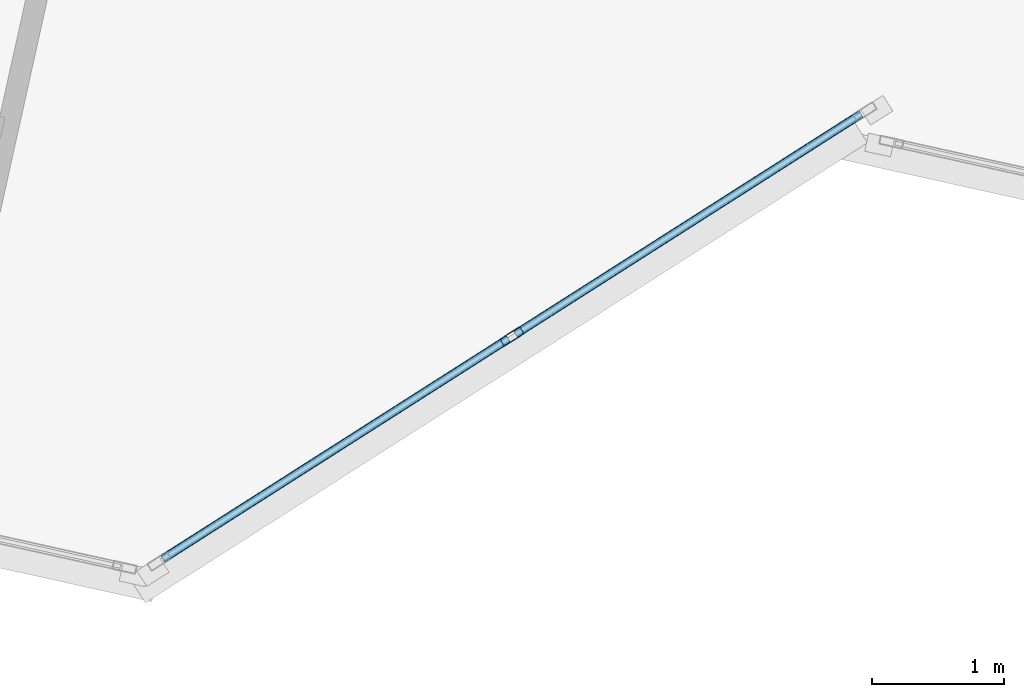
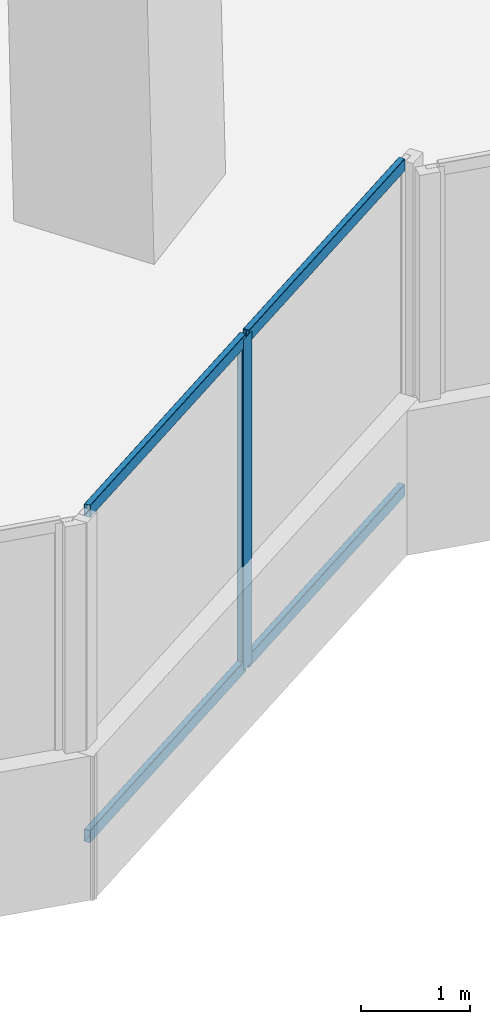
# One storey, part 5 of 26: 5 members, 1 element without a shape of its own.
"""IFC4 building model written with IfcOpenShell, lengths in metres."""

from ifc_helpers import new_model, si_unit, direction, frame, origin, origin_2d, place, context, subcontext, project, spatial, hollow_rectangle, extrude, source, transform, mapped, material, material_profile, profile_set, type_object, element, aggregate, save


model = new_model("IFC4")

# Units and contexts
model_context = context("Model", 3, precision=1e-05, world=origin(), true_north=direction((0.0, 1.0)))
body_context = subcontext(model_context, "Body", "Model", "MODEL_VIEW")
ifc_project = project(units=[si_unit("LENGTHUNIT", "METRE"), si_unit("AREAUNIT", "SQUARE_METRE"), si_unit("VOLUMEUNIT", "CUBIC_METRE"), si_unit("PLANEANGLEUNIT", "RADIAN"), si_unit("MASSUNIT", "GRAM", prefix="KILO")], contexts=[model_context])

# Site, building, storey
site_placement = place(None, origin())
site = spatial("IfcSite", under=ifc_project, at=site_placement, CompositionType="ELEMENT")
building_placement = place(site_placement, origin())
building = spatial("IfcBuilding", under=site, at=building_placement, Name="Torre Montelarca", CompositionType="ELEMENT")
storey_placement = place(building_placement, frame((0.0, 0.0, 95.800048828125)))
storey = spatial("IfcBuildingStorey", under=building, at=storey_placement, Name="L21", CompositionType="ELEMENT", Elevation=95.800048828125)

# Curtain wall, members
ifc_material_1 = material(Name="Insulated low-E laminated glass", Category="glass")
curtain_wall_type = type_object("IfcCurtainWallType", Name="CW-SYS-Z1", PredefinedType="USERDEFINED", material=ifc_material_1)
curtain_wall_placement = place(storey_placement, origin())
curtain_wall = element("IfcCurtainWall", 1, at=curtain_wall_placement, inside=storey, type_object=curtain_wall_type, Name="L21 Curtain Wall Run CW-T3-L21-E02-B1", ObjectType="UNITISED GLAZING", PredefinedType="USERDEFINED")
ifc_material_2 = material(Name="Anodised aluminium AA 6063-T6", Category="aluminium")
ifc_material_profile_1 = material_profile(ifc_material_2, hollow_rectangle(XDim=0.06494140625, YDim=0.139892578125, WallThickness=0.00390625, InnerFilletRadius=0.00390625, OuterFilletRadius=0.008056640625, at=origin_2d()), Name="ALU65X140X4", Category="aluminium")
ifc_profile_set_1 = profile_set([ifc_material_profile_1], Name="Anodised aluminium AA 6063-T6")
member_type_1 = type_object("IfcMemberType", Name="CWT-ALU140", PredefinedType="USERDEFINED", material=ifc_profile_set_1)
shared_shape_1 = source(origin(), body_context, "Body", "SweptSolid", [
    extrude(hollow_rectangle(XDim=0.06494140625, YDim=0.139892578125, WallThickness=0.00390625, InnerFilletRadius=0.00390625, OuterFilletRadius=0.008056640625, at=origin_2d()), origin(), (0.0, 0.0, 1.0), 3.102294921875),
])
member_1_placement = place(storey_placement, frame((30.99853515625, 13.8076171875, 0.032470703125), z_axis=(0.843372972442, 0.537328604631, 0.0), x_axis=(-0.537328604631, 0.843372972442, 0.0)))
member_1 = element("IfcMember", 2, at=member_1_placement, type_object=member_type_1, Name="CW transom 2.1", ObjectType="TRANSOM", PredefinedType="USERDEFINED", context=body_context, shape_type="MappedRepresentation", body=[
    mapped(shared_shape_1, transform((0.0, 0.0, 0.0), scale=1.0)),
])
member_2_placement = place(storey_placement, frame((30.99853515625, 13.8076171875, 3.6875), z_axis=(0.843372972442, 0.537328604631, 0.0), x_axis=(-0.537328604631, 0.843372972442, 0.0)))
member_2 = element("IfcMember", 3, at=member_2_placement, type_object=member_type_1, Name="CW transom 2.2", ObjectType="TRANSOM", PredefinedType="USERDEFINED", context=body_context, shape_type="MappedRepresentation", body=[
    mapped(shared_shape_1, transform((0.0, 0.0, 0.0), scale=1.0)),
])
shared_shape_2 = source(origin(), body_context, "Body", "SweptSolid", [
    extrude(hollow_rectangle(XDim=0.06494140625, YDim=0.139892578125, WallThickness=0.00390625, InnerFilletRadius=0.00390625, OuterFilletRadius=0.008056640625, at=origin_2d()), origin(), (0.0, 0.0, 1.0), 3.1025390625),
])
member_3_placement = place(storey_placement, frame((28.3271484375, 12.105712890625, 0.032470703125), z_axis=(0.843395691124, 0.537292944485, 0.0), x_axis=(-0.537292944485, 0.843395691124, 0.0)))
member_3 = element("IfcMember", 4, at=member_3_placement, type_object=member_type_1, Name="CW transom 1.1", ObjectType="TRANSOM", PredefinedType="USERDEFINED", context=body_context, shape_type="MappedRepresentation", body=[
    mapped(shared_shape_2, transform((0.0, 0.0, 0.0), scale=1.0)),
])
member_4_placement = place(storey_placement, frame((28.3271484375, 12.105712890625, 3.6875), z_axis=(0.843395691124, 0.537292944485, 0.0), x_axis=(-0.537292944485, 0.843395691124, 0.0)))
member_4 = element("IfcMember", 5, at=member_4_placement, type_object=member_type_1, Name="CW transom 1.2", ObjectType="TRANSOM", PredefinedType="USERDEFINED", context=body_context, shape_type="MappedRepresentation", body=[
    mapped(shared_shape_2, transform((0.0, 0.0, 0.0), scale=1.0)),
])
ifc_material_profile_2 = material_profile(ifc_material_2, hollow_rectangle(XDim=0.06494140625, YDim=0.179931640625, WallThickness=0.00390625, InnerFilletRadius=0.00390625, OuterFilletRadius=0.008056640625, at=origin_2d()), Name="ALU65X180X4", Category="aluminium")
ifc_profile_set_2 = profile_set([ifc_material_profile_2], Name="Anodised aluminium AA 6063-T6")
member_type_2 = type_object("IfcMemberType", Name="CWM-ALU180", PredefinedType="MULLION", material=ifc_profile_set_2)
shared_shape_3 = source(origin(), body_context, "Body", "SweptSolid", [
    extrude(hollow_rectangle(XDim=0.06494140625, YDim=0.179931640625, WallThickness=0.00390625, InnerFilletRadius=0.00390625, OuterFilletRadius=0.008056640625, at=origin_2d()), origin(), (0.0, 0.0, 1.0), 3.719970703125),
])
member_5_placement = place(storey_placement, frame((30.97119140625, 13.790283203125, 0.0), z_axis=(0.0, 0.0, 1.0), x_axis=(-0.537312197398, 0.843383425571, 0.0)))
member_5 = element("IfcMember", 6, at=member_5_placement, type_object=member_type_2, Name="CW mullion 2", PredefinedType="MULLION", context=body_context, shape_type="MappedRepresentation", body=[
    mapped(shared_shape_3, transform((0.0, 0.0, 0.0), scale=1.0)),
])
aggregate(curtain_wall, [member_5, member_3, member_4, member_1, member_2])

save(model, "model.ifc")
